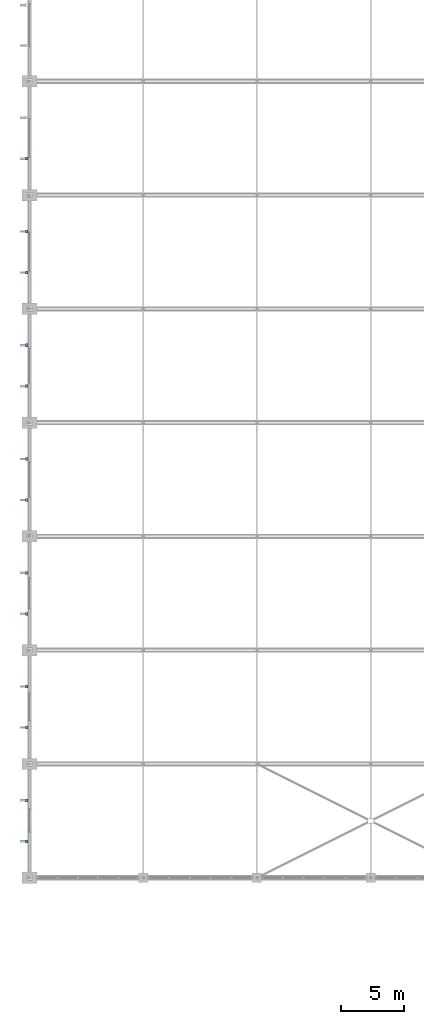
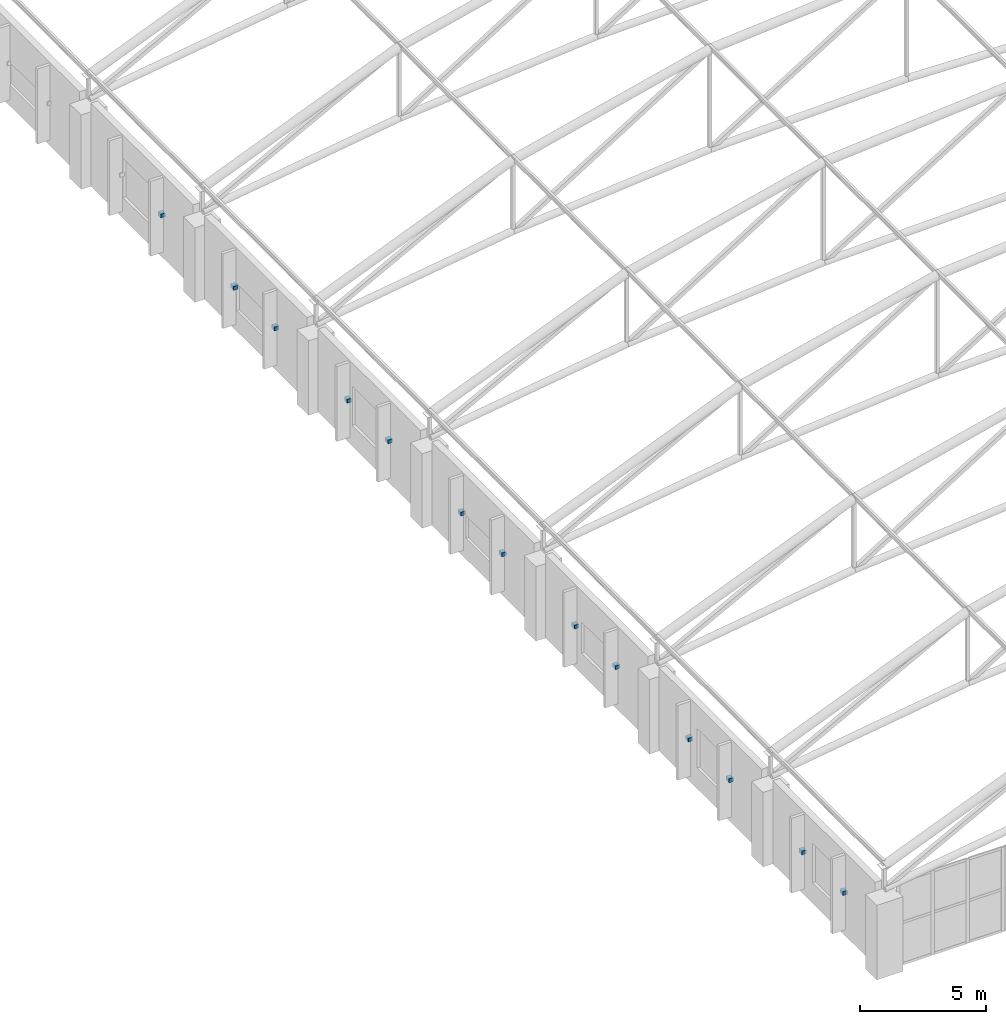
# One storey, part 146 of 167: 13 discrete accessories.
"""IFC4 building model written with IfcOpenShell, lengths in metres."""

import ifcopenshell
import ifcopenshell.guid

model = None  # the IFC model being written
_history = None  # IfcOwnerHistory: only IFC2X3 demands one
_inside = {}  # id of a spatial element -> (the spatial element, [elements in it])
_under = {}  # id of a project, library or spatial element -> (it, [spatial elements below it])
_declared = {}  # id of a project -> (the project, [libraries it declares])
_typed = {}  # id of a type object -> (the type object, [elements of that type])
_made_of = {}  # id of a material, layer set ... -> (it, [elements and type objects made of it])


def new_model(schema):
    """Start an empty IFC model of exactly this schema.

    Asked for "IFC4X3", IfcOpenShell would pick the latest addendum, in which some entities
    have other attributes; the version numbers below select the first issue.
    IFC2X3 requires an IfcOwnerHistory on every rooted entity: one is made here for all.
    """
    global model, _history
    if schema == "IFC4X3":
        model = ifcopenshell.file(schema_version=(4, 3, 0, 0))
    else:
        model = ifcopenshell.file(schema=schema)
    _inside.clear()
    _under.clear()
    _declared.clear()
    _typed.clear()
    _made_of.clear()
    _history = None
    if model.schema == "IFC2X3":
        org = make("IfcOrganization", Name="unknown")
        user = make(
            "IfcPersonAndOrganization",
            ThePerson=make("IfcPerson", FamilyName="unknown"),
            TheOrganization=org,
        )
        app = make(
            "IfcApplication",
            ApplicationDeveloper=org,
            Version="unknown",
            ApplicationFullName="unknown",
            ApplicationIdentifier="unknown",
        )
        _history = make(
            "IfcOwnerHistory",
            OwningUser=user,
            OwningApplication=app,
            ChangeAction="ADDED",
            CreationDate=0,
        )
    return model


def make(cls, **values):
    """One entity of the class cls with the attributes given. An attribute that is None is left unset."""
    return model.create_entity(
        cls, **{name: value for name, value in values.items() if value is not None}
    )


def rooted(cls, **values):
    """An entity with a GlobalId (a new one), such as an element, a storey or a relation."""
    return make(cls, GlobalId=ifcopenshell.guid.new(), OwnerHistory=_history, **values)


def si_unit(unit_type, name, prefix=None):
    """IfcSIUnit, for example si_unit("LENGTHUNIT", "METRE", prefix="MILLI")."""
    return make("IfcSIUnit", UnitType=unit_type, Prefix=prefix, Name=name)


def assignment(units):
    """IfcUnitAssignment: the units of a project."""
    return None if units is None else make("IfcUnitAssignment", Units=units)


def point(xyz):
    """IfcCartesianPoint."""
    return None if xyz is None else make("IfcCartesianPoint", Coordinates=xyz)


def direction(xyz):
    """IfcDirection."""
    return None if xyz is None else make("IfcDirection", DirectionRatios=xyz)


def frame(location, z_axis=None, x_axis=None):
    """IfcAxis2Placement3D, a coordinate frame: its origin and axes. An axis left out is left unset."""
    return make(
        "IfcAxis2Placement3D",
        Location=point(location),
        Axis=direction(z_axis),
        RefDirection=direction(x_axis),
    )


def frame_2d(location, x_axis=None):
    """IfcAxis2Placement2D, a coordinate frame in the plane: its origin and x axis."""
    return make(
        "IfcAxis2Placement2D", Location=point(location), RefDirection=direction(x_axis)
    )


def origin():
    """The frame at (0, 0, 0) with its axes left unset."""
    return frame((0.0, 0.0, 0.0))


def origin_2d():
    """The frame at (0, 0) in the plane with its x axis left unset."""
    return frame_2d((0.0, 0.0))


def place(relative_to, where):
    """IfcLocalPlacement: puts the frame where relative to a parent placement (None: the world)."""
    return make(
        "IfcLocalPlacement", PlacementRelTo=relative_to, RelativePlacement=where
    )


def context(
    kind, dimensions, precision=None, world=None, true_north=None, identifier=None
):
    """IfcGeometricRepresentationContext, for example the 3D "Model" context."""
    return make(
        "IfcGeometricRepresentationContext",
        ContextIdentifier=identifier,
        ContextType=kind,
        CoordinateSpaceDimension=dimensions,
        Precision=precision,
        WorldCoordinateSystem=world,
        TrueNorth=true_north,
    )


def subcontext(parent, identifier, kind, view, scale=None):
    """IfcGeometricRepresentationSubContext, for example "Body" below "Model"."""
    return make(
        "IfcGeometricRepresentationSubContext",
        ContextIdentifier=identifier,
        ContextType=kind,
        ParentContext=parent,
        TargetScale=scale,
        TargetView=view,
    )


def project(units=None, contexts=None):
    """IfcProject with its units and contexts."""
    return rooted(
        "IfcProject",
        Name="project",
        RepresentationContexts=contexts,
        UnitsInContext=assignment(units),
    )


def spatial(cls, under=None, at=None, **own):
    """A site, building, storey or space (cls), placed at a placement, below another one or the project."""
    s = rooted(cls, ObjectPlacement=at, **own)
    if under is not None:
        _under.setdefault(under.id(), (under, []))[1].append(s)
    return s


def profile(cls, at=None, kind="AREA", **sizes):
    """A parametric profile (cls). Its sizes go by their IFC names, for example OverallWidth=200.0."""
    return make(cls, ProfileType=kind, Position=at, **sizes)


def rectangle(**sizes):
    """IfcRectangleProfileDef."""
    return profile("IfcRectangleProfileDef", **sizes)


def extrude(swept, where, along, depth):
    """IfcExtrudedAreaSolid: the profile swept, set in the frame where, extruded along a direction by depth."""
    return make(
        "IfcExtrudedAreaSolid",
        SweptArea=swept,
        Position=where,
        ExtrudedDirection=direction(along),
        Depth=depth,
    )


def shape(context_of_items, identifier, shape_type, items):
    """IfcShapeRepresentation: the items that make up one representation, for example the "Body"."""
    return make(
        "IfcShapeRepresentation",
        ContextOfItems=context_of_items,
        RepresentationIdentifier=identifier,
        RepresentationType=shape_type,
        Items=items,
    )


def material(Name=None, Category=None):
    """IfcMaterial."""
    return make("IfcMaterial", Name=Name, Category=Category)


def layer(
    of_material, thickness, ventilated=None, Name=None, Category=None, Priority=None
):
    """IfcMaterialLayer: one layer of a wall or slab, of a material (None: an air gap)."""
    return make(
        "IfcMaterialLayer",
        Material=of_material,
        LayerThickness=thickness,
        IsVentilated=ventilated,
        Name=Name,
        Category=Category,
        Priority=Priority,
    )


def layer_set(layers, Name=None):
    """IfcMaterialLayerSet."""
    return make("IfcMaterialLayerSet", MaterialLayers=layers, LayerSetName=Name)


def made_of(thing, what):
    """Note that an element or type object is made of a material, layer set ...; save() writes the relation."""
    if what is not None:
        _made_of.setdefault(what.id(), (what, []))[1].append(thing)
    return thing


def type_object(cls, material=None, **own):
    """A type object (cls), such as IfcWallType, which elements share."""
    return made_of(rooted(cls, **own), material)


def element(
    cls,
    number,
    at=None,
    inside=None,
    cuts=None,
    type_object=None,
    material=None,
    context=None,
    identifier="Body",
    shape_type=None,
    held_by="IfcProductDefinitionShape",
    body=None,
    shapes=None,
    **own,
):
    """One element of the class cls, such as IfcWall. Its Tag is "e" and its number.

    at: its placement. inside: the storey or other place that contains it. cuts: it is an
    opening in that element (IfcRelVoidsElement). A single representation is given by context,
    identifier, shape_type and body (its items); several are given by shapes. held_by: the class
    of the entity that holds the representations. save() writes the other relations.
    """
    e = rooted(cls, Tag="e%d" % number, ObjectPlacement=at, **own)
    if body is not None:
        shapes = [shape(context, identifier, shape_type, body)]
    if shapes is not None:
        e.Representation = make(held_by, Representations=shapes)
    if inside is not None:
        _inside.setdefault(inside.id(), (inside, []))[1].append(e)
    if cuts is not None:
        rooted(
            "IfcRelVoidsElement", RelatingBuildingElement=cuts, RelatedOpeningElement=e
        )
    if type_object is not None:
        _typed.setdefault(type_object.id(), (type_object, []))[1].append(e)
    return made_of(e, material)


def aggregate(whole, parts):
    """IfcRelAggregates: a whole, such as a stair, and the parts it consists of."""
    return rooted("IfcRelAggregates", RelatingObject=whole, RelatedObjects=parts)


def save(model, path):
    """Write the relations noted so far, then the file.

    IfcRelAggregates (storeys below a building ...), IfcRelContainedInSpatialStructure (elements
    in a storey), IfcRelDefinesByType, IfcRelAssociatesMaterial and IfcRelDeclares: one each for
    every whole, place, type object, material and project.
    """
    for whole, parts in _under.values():
        aggregate(whole, parts)
    for where, things in _inside.values():
        rooted(
            "IfcRelContainedInSpatialStructure",
            RelatedElements=things,
            RelatingStructure=where,
        )
    for kind, things in _typed.values():
        rooted("IfcRelDefinesByType", RelatedObjects=things, RelatingType=kind)
    for what, things in _made_of.values():
        rooted("IfcRelAssociatesMaterial", RelatedObjects=things, RelatingMaterial=what)
    for by, libraries in _declared.values():
        rooted("IfcRelDeclares", RelatingContext=by, RelatedDefinitions=libraries)
    model.write(path)


model = new_model("IFC4")

# Units and contexts
model_context = context("Model", 3, precision=1e-05, world=origin(), true_north=direction((0.0, 1.0)))
body_context = subcontext(model_context, "Body", "Model", "MODEL_VIEW")
ifc_project = project(units=[si_unit("LENGTHUNIT", "METRE"), si_unit("AREAUNIT", "SQUARE_METRE"), si_unit("VOLUMEUNIT", "CUBIC_METRE"), si_unit("PLANEANGLEUNIT", "RADIAN"), si_unit("MASSUNIT", "GRAM", prefix="KILO")], contexts=[model_context])

# Site, building, storey
site_placement = place(None, origin())
site = spatial("IfcSite", under=ifc_project, at=site_placement, CompositionType="ELEMENT")
building_placement = place(site_placement, origin())
building = spatial("IfcBuilding", under=site, at=building_placement, Name="Dornveld Trade and Exhibition Forum", CompositionType="ELEMENT")
storey_placement = place(building_placement, frame((0.0, 0.0, 16.800048828125)))
storey = spatial("IfcBuildingStorey", under=building, at=storey_placement, Name="L03", CompositionType="ELEMENT", Elevation=16.800048828125)

# Discrete accessories
ifc_material = material(Name="Steel S355J2", Category="steel")
ifc_layer = layer(ifc_material, 0.179931640625)
ifc_layer_set = layer_set([ifc_layer], Name="Steel S355J2")
discrete_accessory_type = type_object("IfcDiscreteAccessoryType", Name="ACC-BRK-STL", PredefinedType="BRACKET", material=ifc_layer_set)
for number, where, z_axis, x_axis, name in (
    (1, (26.804931640625, 42.1201171875, 2.02001953125), (0.0, 0.0, 1.0), (0.0, -1.0, 0.0), "L03 solar fin bracket 25"),
    (2, (26.804931640625, 38.8798828125, 2.02001953125), (0.0, 0.0, 1.0), (0.0, -1.0, 0.0), "L03 solar fin bracket 26"),
    (3, (26.804931640625, 51.1201171875, 2.02001953125), (0.0, 0.0, 1.0), (0.0, -1.0, 0.0), "L03 solar fin bracket 33"),
    (4, (26.804931640625, 47.8798828125, 2.02001953125), (0.0, 0.0, 1.0), (0.0, -1.0, 0.0), "L03 solar fin bracket 34"),
    (5, (26.804931640625, 60.1201171875, 2.02001953125), (0.0, 0.0, 1.0), (0.0, -1.0, 0.0), "L03 solar fin bracket 41"),
    (6, (26.804931640625, 56.8798828125, 2.02001953125), (0.0, 0.0, 1.0), (0.0, -1.0, 0.0), "L03 solar fin bracket 42"),
    (7, (26.804931640625, 69.1201171875, 2.02001953125), (0.0, 0.0, 1.0), (0.0, -1.0, 0.0), "L03 solar fin bracket 49"),
    (8, (26.804931640625, 65.8798828125, 2.02001953125), (0.0, 0.0, 1.0), (0.0, -1.0, 0.0), "L03 solar fin bracket 50"),
    (9, (26.804931640625, 78.1201171875, 2.02001953125), (0.0, 0.0, 1.0), (0.0, -1.0, 0.0), "L03 solar fin bracket 57"),
    (10, (26.804931640625, 74.8798828125, 2.02001953125), (0.0, 0.0, 1.0), (0.0, -1.0, 0.0), "L03 solar fin bracket 58"),
    (11, (26.804931640625, 87.1201171875, 2.02001953125), (0.0, 0.0, 1.0), (0.0, -1.0, 0.0), "L03 solar fin bracket 65"),
    (12, (26.804931640625, 83.8798828125, 2.02001953125), (0.0, 0.0, 1.0), (0.0, -1.0, 0.0), "L03 solar fin bracket 66"),
    (13, (26.804931640625, 92.8798828125, 2.02001953125), (0.0, 0.0, 1.0), (0.0, -1.0, 0.0), "L03 solar fin bracket 74"),
):
    element("IfcDiscreteAccessory", number, at=place(storey_placement, frame(where, z_axis=z_axis, x_axis=x_axis)), inside=storey, type_object=discrete_accessory_type, Name=name, PredefinedType="BRACKET", context=body_context, shape_type="SweptSolid", body=[
        extrude(rectangle(XDim=0.239990234375, YDim=0.199951171875, at=origin_2d()), origin(), (0.0, 0.0, 1.0), 0.179931640625),
    ])

save(model, "model.ifc")
